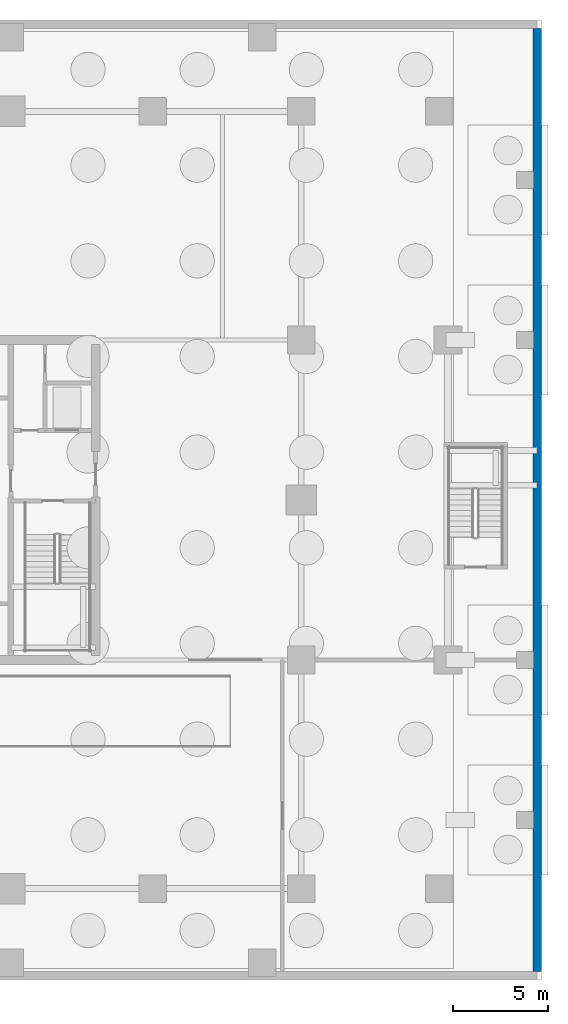
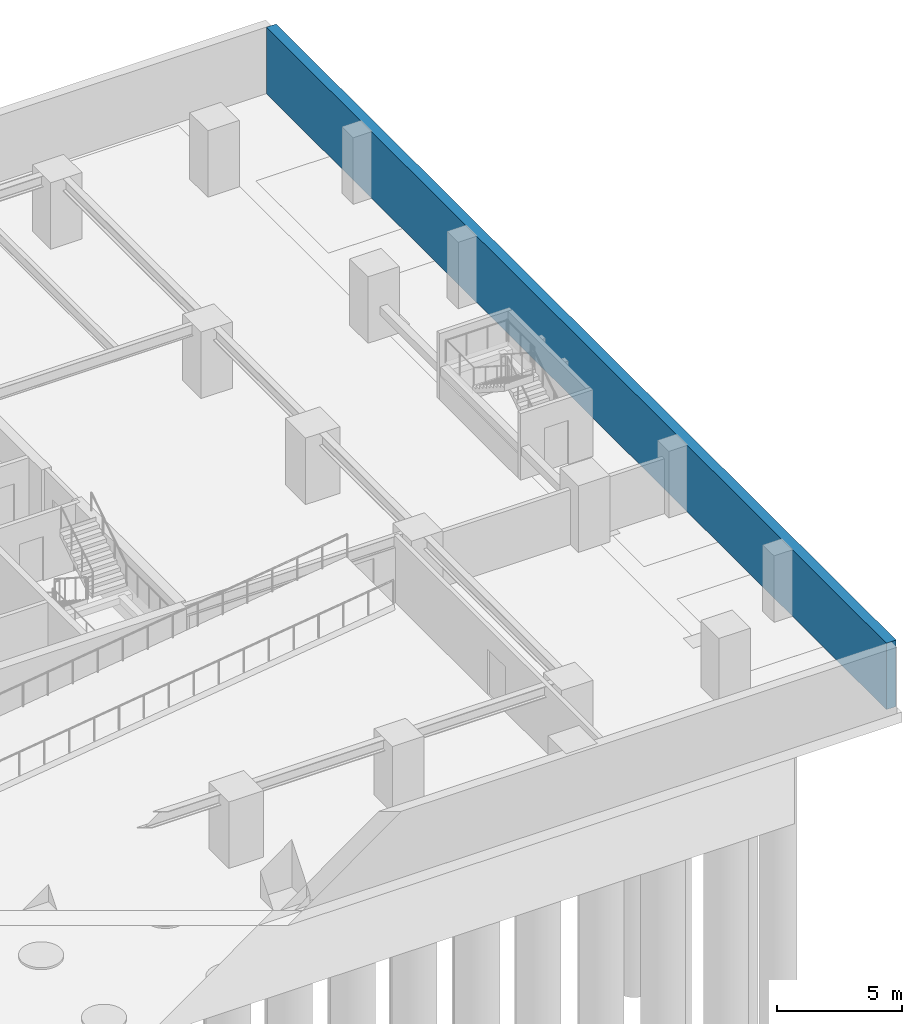
# One storey, part 5 of 12: 1 wall.
"""IFC4 building model written with IfcOpenShell, lengths in metres."""

from ifc_helpers import new_model, si_unit, direction, frame, frame_2d, origin, place, context, subcontext, project, spatial, rectangle, extrude, material, layer, layer_set, type_object, element, save


model = new_model("IFC4")

# Units and contexts
model_context = context("Model", 3, precision=1e-05, world=origin(), true_north=direction((0.0, 1.0)))
body_context = subcontext(model_context, "Body", "Model", "MODEL_VIEW")
ifc_project = project(units=[si_unit("LENGTHUNIT", "METRE"), si_unit("AREAUNIT", "SQUARE_METRE"), si_unit("VOLUMEUNIT", "CUBIC_METRE"), si_unit("PLANEANGLEUNIT", "RADIAN"), si_unit("MASSUNIT", "GRAM", prefix="KILO")], contexts=[model_context])

# Site, building, storey
site_placement = place(None, origin())
site = spatial("IfcSite", under=ifc_project, at=site_placement, CompositionType="ELEMENT")
building_placement = place(site_placement, origin())
building = spatial("IfcBuilding", under=site, at=building_placement, Name="Serunith Strait Residences", CompositionType="ELEMENT")
storey_placement = place(building_placement, frame((0.0, 0.0, -10.800048828125)))
storey = spatial("IfcBuildingStorey", under=building, at=storey_placement, Name="B03", CompositionType="ELEMENT", Elevation=-10.800048828125)

# Wall
ifc_material = material(Name="Concrete C50/60", Category="concrete")
ifc_layer = layer(ifc_material, 0.449951171875, Name="Concrete C50/60")
ifc_layer_set = layer_set([ifc_layer], Name="Concrete C50/60")
wall_type = type_object("IfcWallType", Name="RW-450-C50", PredefinedType="USERDEFINED", material=ifc_layer_set)
wall_placement = place(storey_placement, frame((64.574951171875, 0.449951171875, 0.0), z_axis=(0.0, 0.0, 1.0), x_axis=(0.0, 1.0, 0.0)))
element("IfcWall", 1, at=wall_placement, inside=storey, type_object=wall_type, Name="B03 East Diaphragm Wall", ObjectType="RETAININGWALL", PredefinedType="USERDEFINED", context=body_context, shape_type="SweptSolid", body=[
    extrude(rectangle(XDim=49.5, YDim=0.449951171875, at=frame_2d((24.75, 0.0))), origin(), (0.0, 0.0, 1.0), 3.238037109375),
])

save(model, "model.ifc")
